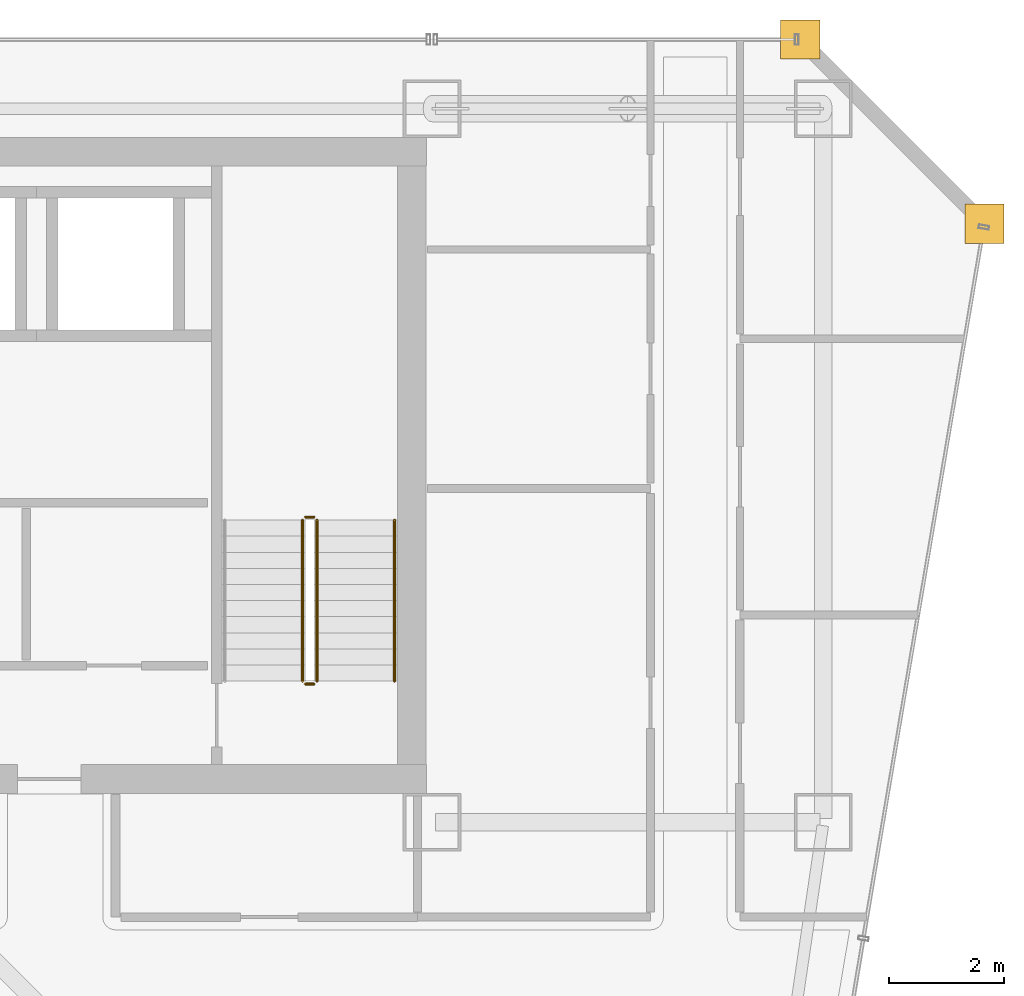
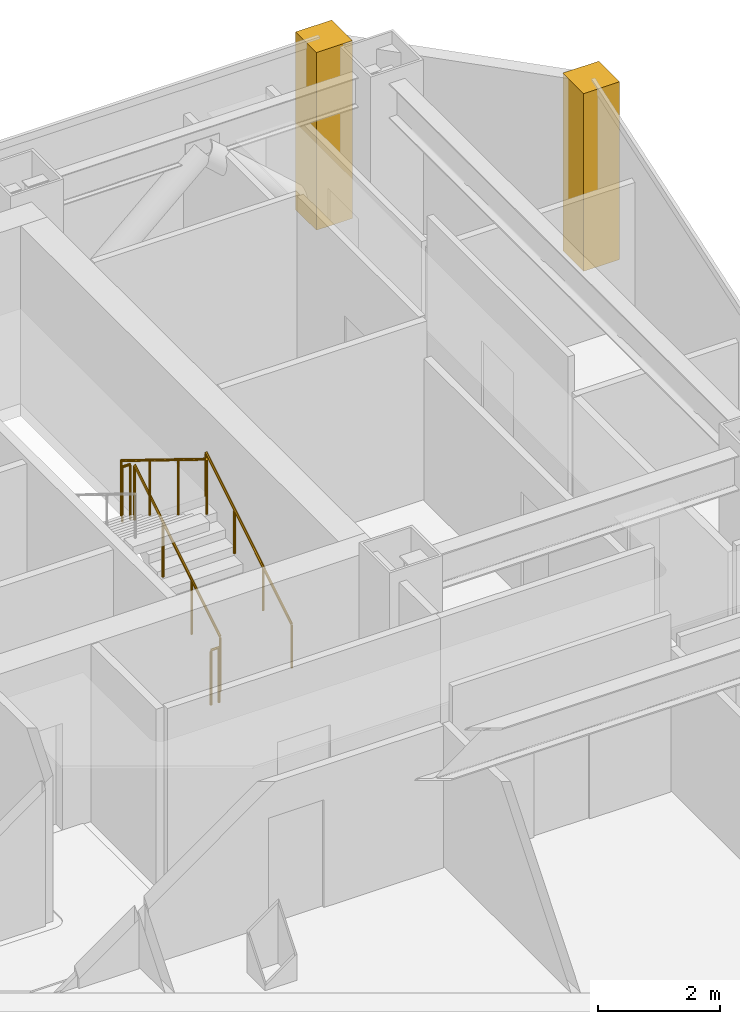
# One storey, part 31 of 31: 5 railings, 2 coverings.
"""IFC4 building model written with IfcOpenShell, lengths in metres."""

from ifc_helpers import new_model, si_unit, direction, frame, origin, origin_2d, place, context, subcontext, project, spatial, polyline, circle, outline, extrude, material, layer, layer_set, type_object, element, save


model = new_model("IFC4")

# Units and contexts
model_context = context("Model", 3, precision=1e-05, world=origin(), true_north=direction((0.0, 1.0)))
body_context = subcontext(model_context, "Body", "Model", "MODEL_VIEW")
ifc_project = project(units=[si_unit("LENGTHUNIT", "METRE"), si_unit("AREAUNIT", "SQUARE_METRE"), si_unit("VOLUMEUNIT", "CUBIC_METRE"), si_unit("PLANEANGLEUNIT", "RADIAN"), si_unit("MASSUNIT", "GRAM", prefix="KILO")], contexts=[model_context])

# Site, building, storey
site_placement = place(None, origin())
site = spatial("IfcSite", under=ifc_project, at=site_placement, CompositionType="ELEMENT")
building_placement = place(site_placement, origin())
building = spatial("IfcBuilding", under=site, at=building_placement, Name="Saevonmaru Cultural Tower", CompositionType="ELEMENT")
storey_placement = place(building_placement, frame((0.0, 0.0, 167.60009765625)))
storey = spatial("IfcBuildingStorey", under=building, at=storey_placement, Name="L37", CompositionType="ELEMENT", Elevation=167.60009765625)

# Coverings
ifc_material_1 = material(Name="Satin Bronze Anodised Aluminium", Category="aluminium")
ifc_layer = layer(ifc_material_1, 0.679931640625, Name="Satin Bronze Anodised Aluminium")
ifc_layer_set = layer_set([ifc_layer], Name="Satin Bronze Anodised Aluminium")
covering_type = type_object("IfcCoveringType", Name="CV-CORNER-CLAD", PredefinedType="CLADDING", material=ifc_layer_set)
covering_1_placement = place(storey_placement, origin())
element("IfcCovering", 1, at=covering_1_placement, inside=storey, type_object=covering_type, Name="L37 Tower Bronze Corner Cladding Pier 9", PredefinedType="CLADDING", context=body_context, shape_type="SweptSolid", body=[
    extrude(outline(polyline([(55.659912109375, 52.4599609375), (56.340087890625, 52.4599609375), (56.340087890625, 53.139892578125), (55.659912109375, 53.139892578125), (55.659912109375, 52.4599609375)])), origin(), (0.0, 0.0, 1.0), 3.5498046875),
])
covering_2_placement = place(storey_placement, origin())
element("IfcCovering", 2, at=covering_2_placement, inside=storey, type_object=covering_type, Name="L37 Tower Bronze Corner Cladding Pier 10", PredefinedType="CLADDING", context=body_context, shape_type="SweptSolid", body=[
    extrude(outline(polyline([(52.4599609375, 55.659912109375), (53.139892578125, 55.659912109375), (53.139892578125, 56.340087890625), (52.4599609375, 56.340087890625), (52.4599609375, 55.659912109375)])), origin(), (0.0, 0.0, 1.0), 3.5498046875),
])

# Railings
ifc_material_2 = material(Name="Architectural Painted Steel", Category="steel")
railing_type_1 = type_object("IfcRailingType", Name="RL-STAIR-GUARD", PredefinedType="GUARDRAIL", material=ifc_material_2)
railing_1_placement = place(storey_placement, frame((44.39990234375, 44.85009765625, 0.172607421875)))
element("IfcRailing", 3, at=railing_1_placement, inside=storey, type_object=railing_type_1, Name="L37 ST-2 stair guard 1", PredefinedType="GUARDRAIL", context=body_context, shape_type="SweptSolid", body=[
    extrude(circle(Radius=0.02392578125, at=origin_2d()), frame((0.0, 0.0, 1.09619140625), z_axis=(0.0, 0.851069175582, 0.525053576669), x_axis=(-1.0, 0.0, 0.0)), (0.0, 0.0, 1.0), 3.289794921875),
    extrude(circle(Radius=0.02099609375, at=origin_2d()), origin(), (0.0, 0.0, 1.0), 1.072021484375),
    extrude(circle(Radius=0.02099609375, at=origin_2d()), frame((0.0, 0.933349609375, 0.57568359375)), (0.0, 0.0, 1.0), 1.072021484375),
    extrude(circle(Radius=0.02099609375, at=origin_2d()), frame((0.0, 1.866455078125, 1.151611328125)), (0.0, 0.0, 1.0), 1.072021484375),
    extrude(circle(Radius=0.02099609375, at=origin_2d()), frame((0.0, 2.7998046875, 1.727294921875)), (0.0, 0.0, 1.0), 1.072021484375),
])
railing_2_placement = place(storey_placement, frame((44.35009765625, 47.699951171875, 1.89990234375)))
element("IfcRailing", 4, at=railing_2_placement, inside=storey, type_object=railing_type_1, Name="L37 ST-2 stair guard 2", PredefinedType="GUARDRAIL", context=body_context, shape_type="SweptSolid", body=[
    extrude(circle(Radius=0.02392578125, at=origin_2d()), frame((0.0, 0.0, 1.09619140625), z_axis=(-1.0, 0.0, 0.0), x_axis=(0.0, -1.0, 0.0)), (0.0, 0.0, 1.0), 0.150146484375),
    extrude(circle(Radius=0.02099609375, at=origin_2d()), origin(), (0.0, 0.0, 1.0), 1.072021484375),
    extrude(circle(Radius=0.02099609375, at=origin_2d()), frame((-0.150146484375, 0.0, 0.0)), (0.0, 0.0, 1.0), 1.072021484375),
])
railing_3_placement = place(storey_placement, frame((44.14990234375, 47.64990234375, 2.072509765625)))
element("IfcRailing", 5, at=railing_3_placement, inside=storey, type_object=railing_type_1, Name="L37 ST-2 stair guard 3", PredefinedType="GUARDRAIL", context=body_context, shape_type="SweptSolid", body=[
    extrude(circle(Radius=0.02392578125, at=origin_2d()), frame((0.0, 0.0, 1.09619140625), z_axis=(0.0, -0.851069175582, 0.525053576669), x_axis=(1.0, 0.0, 0.0)), (0.0, 0.0, 1.0), 3.289794921875),
    extrude(circle(Radius=0.02099609375, at=origin_2d()), origin(), (0.0, 0.0, 1.0), 1.072021484375),
    extrude(circle(Radius=0.02099609375, at=origin_2d()), frame((0.0, -0.933349609375, 0.57568359375)), (0.0, 0.0, 1.0), 1.072021484375),
    extrude(circle(Radius=0.02099609375, at=origin_2d()), frame((0.0, -1.866455078125, 1.151611328125)), (0.0, 0.0, 1.0), 1.072021484375),
    extrude(circle(Radius=0.02099609375, at=origin_2d()), frame((0.0, -2.7998046875, 1.727294921875)), (0.0, 0.0, 1.0), 1.072021484375),
])
railing_4_placement = place(storey_placement, frame((44.35009765625, 44.800048828125, 0.0)))
element("IfcRailing", 6, at=railing_4_placement, inside=storey, type_object=railing_type_1, Name="L37 ST-2 stair guard 4", PredefinedType="GUARDRAIL", context=body_context, shape_type="SweptSolid", body=[
    extrude(circle(Radius=0.02392578125, at=origin_2d()), frame((0.0, 0.0, 1.09619140625), z_axis=(-1.0, 0.0, 0.0), x_axis=(0.0, -1.0, 0.0)), (0.0, 0.0, 1.0), 0.150146484375),
    extrude(circle(Radius=0.02099609375, at=origin_2d()), origin(), (0.0, 0.0, 1.0), 1.072021484375),
    extrude(circle(Radius=0.02099609375, at=origin_2d()), frame((-0.150146484375, 0.0, 0.0)), (0.0, 0.0, 1.0), 1.072021484375),
])
railing_type_2 = type_object("IfcRailingType", Name="RL-STAIR-HANDRAIL", PredefinedType="HANDRAIL", material=ifc_material_1)
railing_5_placement = place(storey_placement, frame((45.75, 44.85009765625, 0.172607421875)))
element("IfcRailing", 7, at=railing_5_placement, inside=storey, type_object=railing_type_2, Name="L37 ST-2 stair handrail 1", PredefinedType="HANDRAIL", context=body_context, shape_type="SweptSolid", body=[
    extrude(circle(Radius=0.02392578125, at=origin_2d()), frame((0.0, 0.0, 0.8759765625), z_axis=(0.0, 0.851069175582, 0.525053576669), x_axis=(-1.0, 0.0, 0.0)), (0.0, 0.0, 1.0), 3.289794921875),
    extrude(circle(Radius=0.02099609375, at=origin_2d()), origin(), (0.0, 0.0, 1.0), 0.851806640625),
    extrude(circle(Radius=0.02099609375, at=origin_2d()), frame((0.0, 0.933349609375, 0.57568359375)), (0.0, 0.0, 1.0), 0.851806640625),
    extrude(circle(Radius=0.02099609375, at=origin_2d()), frame((0.0, 1.866455078125, 1.151611328125)), (0.0, 0.0, 1.0), 0.851806640625),
    extrude(circle(Radius=0.02099609375, at=origin_2d()), frame((0.0, 2.7998046875, 1.727294921875)), (0.0, 0.0, 1.0), 0.851806640625),
])

save(model, "model.ifc")
